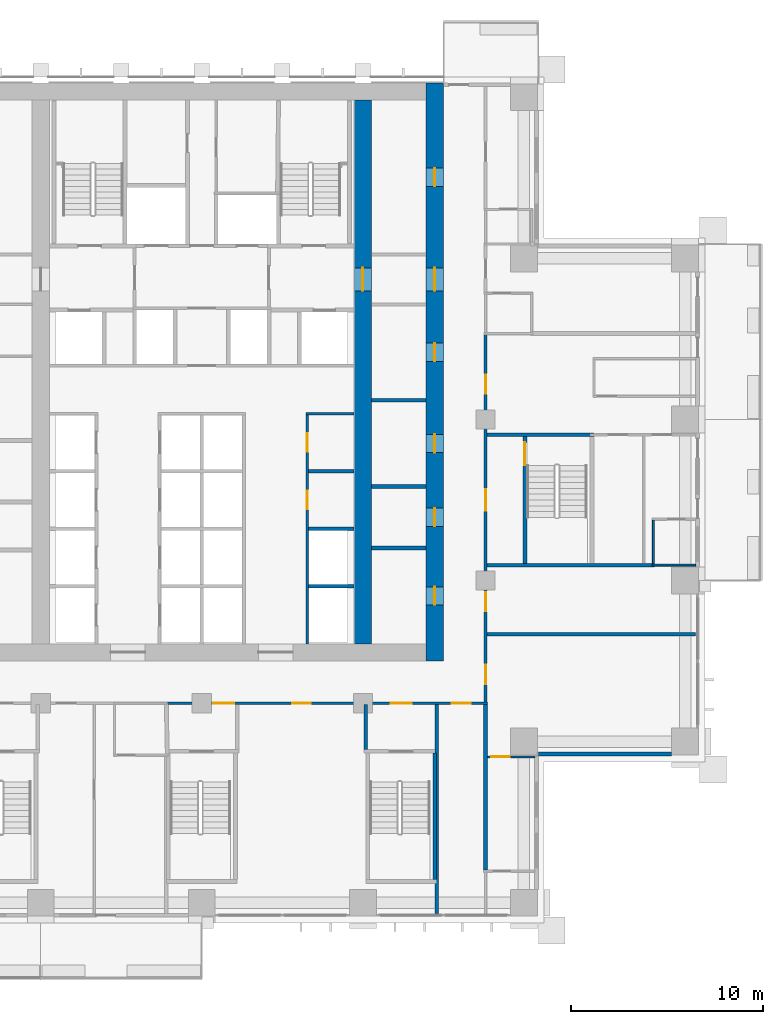
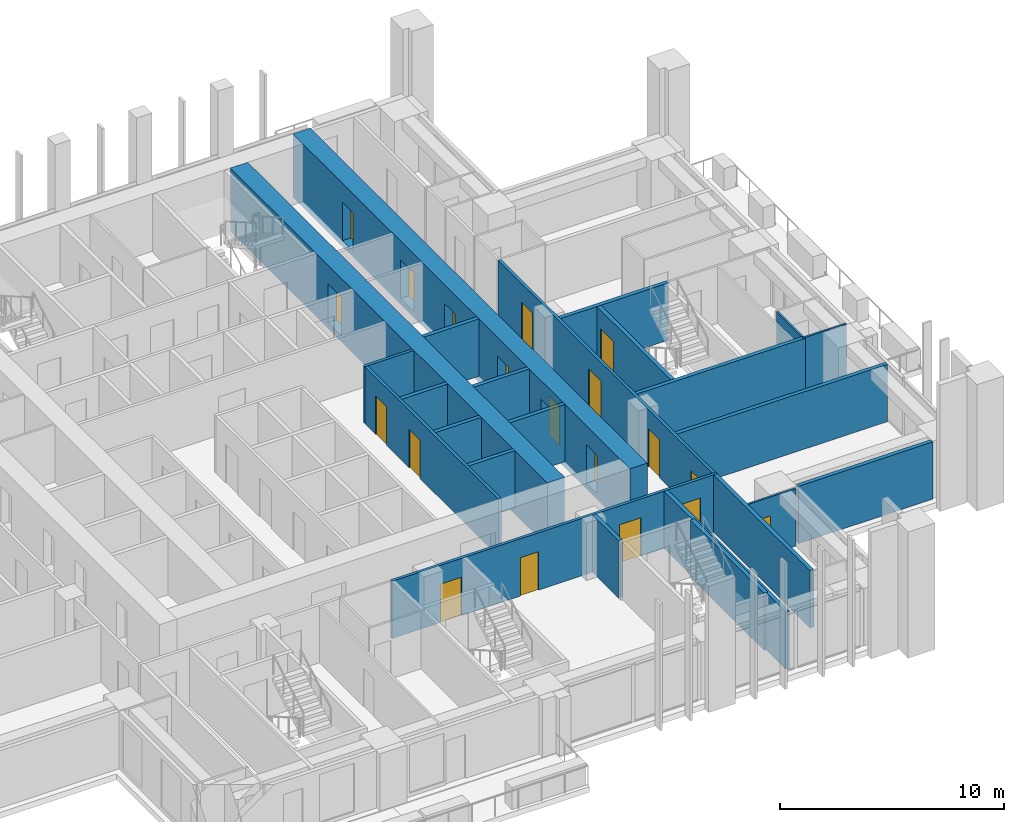
# One storey, part 9 of 18: 24 walls, 19 doors, 19 openings.
"""IFC4 building model written with IfcOpenShell, lengths in metres."""

from ifc_helpers import new_model, si_unit, direction, frame, frame_2d, origin, place, context, subcontext, project, spatial, rectangle, extrude, material, layer, layer_set, type_object, element, fill, save


model = new_model("IFC4")

# Units and contexts
model_context = context("Model", 3, precision=1e-05, world=origin(), true_north=direction((0.0, 1.0)))
body_context = subcontext(model_context, "Body", "Model", "MODEL_VIEW")
ifc_project = project(units=[si_unit("LENGTHUNIT", "METRE"), si_unit("AREAUNIT", "SQUARE_METRE"), si_unit("VOLUMEUNIT", "CUBIC_METRE"), si_unit("PLANEANGLEUNIT", "RADIAN"), si_unit("MASSUNIT", "GRAM", prefix="KILO")], contexts=[model_context])

# Site, building, storey
site_placement = place(None, origin())
site = spatial("IfcSite", under=ifc_project, at=site_placement, CompositionType="ELEMENT")
building_placement = place(site_placement, origin())
building = spatial("IfcBuilding", under=site, at=building_placement, Name="Vermilion Ogive Tower", CompositionType="ELEMENT")
storey_placement = place(building_placement, frame((0.0, 0.0, 55.199951171875)))
storey = spatial("IfcBuildingStorey", under=building, at=storey_placement, Name="L12", CompositionType="ELEMENT", Elevation=55.199951171875)

# Wall, openings, doors
ifc_material_1 = material(Name="Concrete B80", Category="concrete")
ifc_layer_1 = layer(ifc_material_1, 0.89990234375)
ifc_layer_set_1 = layer_set([ifc_layer_1], Name="Core wall 900 B80")
wall_type_1 = type_object("IfcWallType", Name="Core wall 900 B80", PredefinedType="SHEAR", material=ifc_layer_set_1)
wall_1_placement = place(storey_placement, frame((12.14990234375, -8.39990234375, -0.320068359375), z_axis=(0.0, 0.0, 1.0), x_axis=(0.0, 1.0, 0.0)))
wall_1 = element("IfcWall", 1, at=wall_1_placement, inside=storey, type_object=wall_type_1, Name="L12-CORE-E", PredefinedType="SHEAR", context=body_context, shape_type="SweptSolid", body=[
    extrude(rectangle(XDim=30.14990234375, YDim=0.89990234375, at=frame_2d((15.074951171875, 0.0))), origin(), (0.0, 0.0, 1.0), 3.4501953125),
])
opening_1_placement = place(wall_1_placement, frame((2.925048828125, 0.0, 0.320068359375)))
opening_1 = element("IfcOpeningElement", 2, at=opening_1_placement, cuts=wall_1, Name="Opening DAC018", PredefinedType="OPENING", context=body_context, shape_type="SweptSolid", body=[
    extrude(rectangle(XDim=0.949951171875, YDim=2.10009765625, at=frame_2d((0.47509765625, 1.050048828125))), frame((0.0, 0.4599609375, 0.0), z_axis=(0.0, -1.0, 0.0), x_axis=(1.0, 0.0, 0.0)), (0.0, 0.0, 1.0), 0.919921875),
])
opening_2_placement = place(wall_1_placement, frame((7.02490234375, 0.0, 0.320068359375)))
opening_2 = element("IfcOpeningElement", 3, at=opening_2_placement, cuts=wall_1, Name="Opening DAC019", PredefinedType="OPENING", context=body_context, shape_type="SweptSolid", body=[
    extrude(rectangle(XDim=0.949951171875, YDim=2.10009765625, at=frame_2d((0.47509765625, 1.050048828125))), frame((0.0, 0.4599609375, 0.0), z_axis=(0.0, -1.0, 0.0), x_axis=(1.0, 0.0, 0.0)), (0.0, 0.0, 1.0), 0.919921875),
])
opening_3_placement = place(wall_1_placement, frame((10.875, 0.0, 0.320068359375)))
opening_3 = element("IfcOpeningElement", 4, at=opening_3_placement, cuts=wall_1, Name="Opening DAC020", PredefinedType="OPENING", context=body_context, shape_type="SweptSolid", body=[
    extrude(rectangle(XDim=0.949951171875, YDim=2.10009765625, at=frame_2d((0.47509765625, 1.050048828125))), frame((0.0, 0.4599609375, 0.0), z_axis=(0.0, -1.0, 0.0), x_axis=(1.0, 0.0, 0.0)), (0.0, 0.0, 1.0), 0.919921875),
])
opening_4_placement = place(wall_1_placement, frame((15.625, 0.0, 0.320068359375)))
opening_4 = element("IfcOpeningElement", 5, at=opening_4_placement, cuts=wall_1, Name="Opening DAC021", PredefinedType="OPENING", context=body_context, shape_type="SweptSolid", body=[
    extrude(rectangle(XDim=0.949951171875, YDim=2.10009765625, at=frame_2d((0.47509765625, 1.050048828125))), frame((0.0, 0.4599609375, 0.0), z_axis=(0.0, -1.0, 0.0), x_axis=(1.0, 0.0, 0.0)), (0.0, 0.0, 1.0), 0.919921875),
])
opening_5_placement = place(wall_1_placement, frame((24.75, 0.0, 0.320068359375)))
opening_5 = element("IfcOpeningElement", 6, at=opening_5_placement, cuts=wall_1, Name="Opening DAC022", PredefinedType="OPENING", context=body_context, shape_type="SweptSolid", body=[
    extrude(rectangle(XDim=0.949951171875, YDim=2.10009765625, at=frame_2d((0.47509765625, 1.050048828125))), frame((0.0, 0.4599609375, 0.0), z_axis=(0.0, -1.0, 0.0), x_axis=(1.0, 0.0, 0.0)), (0.0, 0.0, 1.0), 0.919921875),
])
opening_6_placement = place(wall_1_placement, frame((19.300048828125, 0.0, 0.320068359375)))
opening_6 = element("IfcOpeningElement", 7, at=opening_6_placement, cuts=wall_1, Name="Opening DAL004", PredefinedType="OPENING", context=body_context, shape_type="SweptSolid", body=[
    extrude(rectangle(XDim=1.199951171875, YDim=2.10009765625, at=frame_2d((0.60009765625, 1.050048828125))), frame((0.0, 0.4599609375, 0.0), z_axis=(0.0, -1.0, 0.0), x_axis=(1.0, 0.0, 0.0)), (0.0, 0.0, 1.0), 0.919921875),
])
ifc_material_2 = material(Name="Timber door leaf", Category="wood")
door_type_1 = type_object("IfcDoorType", Name="Link door 1200 x 2100 FD60S", OperationType="SINGLE_SWING_LEFT", PredefinedType="DOOR", material=ifc_material_2)
door_1_placement = place(opening_6_placement, origin())
door_1 = element("IfcDoor", 8, at=door_1_placement, inside=storey, type_object=door_type_1, Name="L12-CKE-XL", OperationType="SINGLE_SWING_LEFT", OverallHeight=2.10009765625, OverallWidth=1.199951171875, PredefinedType="DOOR", context=body_context, shape_type="SweptSolid", body=[
    extrude(rectangle(XDim=1.199951171875, YDim=2.10009765625, at=frame_2d((0.60009765625, 1.050048828125))), frame((0.0, 0.02490234375, 0.0), z_axis=(0.0, -1.0, 0.0), x_axis=(1.0, 0.0, 0.0)), (0.0, 0.0, 1.0), 0.050048828125),
])
fill(opening_6, door_1)
ifc_material_3 = material(Name="Timber door leaf", Category="wood")
door_type_2 = type_object("IfcDoorType", Name="Service door 950 x 2100 FD60", OperationType="SINGLE_SWING_LEFT", PredefinedType="DOOR", material=ifc_material_3)
door_2_placement = place(opening_1_placement, origin())
door_2 = element("IfcDoor", 9, at=door_2_placement, inside=storey, type_object=door_type_2, Name="L12-CKE-XR0", OperationType="SINGLE_SWING_LEFT", OverallHeight=2.10009765625, OverallWidth=0.949951171875, PredefinedType="DOOR", context=body_context, shape_type="SweptSolid", body=[
    extrude(rectangle(XDim=0.949951171875, YDim=2.10009765625, at=frame_2d((0.47509765625, 1.050048828125))), frame((0.0, 0.02490234375, 0.0), z_axis=(0.0, -1.0, 0.0), x_axis=(1.0, 0.0, 0.0)), (0.0, 0.0, 1.0), 0.050048828125),
])
fill(opening_1, door_2)
door_3_placement = place(opening_2_placement, origin())
door_3 = element("IfcDoor", 10, at=door_3_placement, inside=storey, type_object=door_type_2, Name="L12-CKE-XR1", OperationType="SINGLE_SWING_LEFT", OverallHeight=2.10009765625, OverallWidth=0.949951171875, PredefinedType="DOOR", context=body_context, shape_type="SweptSolid", body=[
    extrude(rectangle(XDim=0.949951171875, YDim=2.10009765625, at=frame_2d((0.47509765625, 1.050048828125))), frame((0.0, 0.02490234375, 0.0), z_axis=(0.0, -1.0, 0.0), x_axis=(1.0, 0.0, 0.0)), (0.0, 0.0, 1.0), 0.050048828125),
])
fill(opening_2, door_3)
door_4_placement = place(opening_3_placement, origin())
door_4 = element("IfcDoor", 11, at=door_4_placement, inside=storey, type_object=door_type_2, Name="L12-CKE-XR2", OperationType="SINGLE_SWING_LEFT", OverallHeight=2.10009765625, OverallWidth=0.949951171875, PredefinedType="DOOR", context=body_context, shape_type="SweptSolid", body=[
    extrude(rectangle(XDim=0.949951171875, YDim=2.10009765625, at=frame_2d((0.47509765625, 1.050048828125))), frame((0.0, 0.02490234375, 0.0), z_axis=(0.0, -1.0, 0.0), x_axis=(1.0, 0.0, 0.0)), (0.0, 0.0, 1.0), 0.050048828125),
])
fill(opening_3, door_4)
door_5_placement = place(opening_4_placement, origin())
door_5 = element("IfcDoor", 12, at=door_5_placement, inside=storey, type_object=door_type_2, Name="L12-CKE-XR3", OperationType="SINGLE_SWING_LEFT", OverallHeight=2.10009765625, OverallWidth=0.949951171875, PredefinedType="DOOR", context=body_context, shape_type="SweptSolid", body=[
    extrude(rectangle(XDim=0.949951171875, YDim=2.10009765625, at=frame_2d((0.47509765625, 1.050048828125))), frame((0.0, 0.02490234375, 0.0), z_axis=(0.0, -1.0, 0.0), x_axis=(1.0, 0.0, 0.0)), (0.0, 0.0, 1.0), 0.050048828125),
])
fill(opening_4, door_5)
door_6_placement = place(opening_5_placement, origin())
door_6 = element("IfcDoor", 13, at=door_6_placement, inside=storey, type_object=door_type_2, Name="L12-CKE-XR4", OperationType="SINGLE_SWING_LEFT", OverallHeight=2.10009765625, OverallWidth=0.949951171875, PredefinedType="DOOR", context=body_context, shape_type="SweptSolid", body=[
    extrude(rectangle(XDim=0.949951171875, YDim=2.10009765625, at=frame_2d((0.47509765625, 1.050048828125))), frame((0.0, 0.02490234375, 0.0), z_axis=(0.0, -1.0, 0.0), x_axis=(1.0, 0.0, 0.0)), (0.0, 0.0, 1.0), 0.050048828125),
])
fill(opening_5, door_6)

# Wall, opening, door
wall_2_placement = place(storey_placement, frame((8.39990234375, -7.5, -0.320068359375), z_axis=(0.0, 0.0, 1.0), x_axis=(0.0, 1.0, 0.0)))
wall_2 = element("IfcWall", 14, at=wall_2_placement, inside=storey, type_object=wall_type_1, Name="L12-CORE-WEB2", PredefinedType="SHEAR", context=body_context, shape_type="SweptSolid", body=[
    extrude(rectangle(XDim=28.35009765625, YDim=0.89990234375, at=frame_2d((14.175048828125, 0.0))), origin(), (0.0, 0.0, 1.0), 3.4501953125),
])
opening_7_placement = place(wall_2_placement, frame((18.39990234375, 0.0, 0.320068359375)))
opening_7 = element("IfcOpeningElement", 15, at=opening_7_placement, cuts=wall_2, Name="Opening DAO004", PredefinedType="OPENING", context=body_context, shape_type="SweptSolid", body=[
    extrude(rectangle(XDim=1.199951171875, YDim=2.10009765625, at=frame_2d((0.60009765625, 1.050048828125))), frame((0.0, 0.4599609375, 0.0), z_axis=(0.0, -1.0, 0.0), x_axis=(1.0, 0.0, 0.0)), (0.0, 0.0, 1.0), 0.919921875),
])
door_7_placement = place(opening_7_placement, origin())
door_7 = element("IfcDoor", 16, at=door_7_placement, inside=storey, type_object=door_type_1, Name="L12-CKE-XW", OperationType="SINGLE_SWING_LEFT", OverallHeight=2.10009765625, OverallWidth=1.199951171875, PredefinedType="DOOR", context=body_context, shape_type="SweptSolid", body=[
    extrude(rectangle(XDim=1.199951171875, YDim=2.10009765625, at=frame_2d((0.60009765625, 1.050048828125))), frame((0.0, 0.02490234375, 0.0), z_axis=(0.0, -1.0, 0.0), x_axis=(1.0, 0.0, 0.0)), (0.0, 0.0, 1.0), 0.050048828125),
])
fill(opening_7, door_7)

# Walls
ifc_material_4 = material(Name="Gypsum board partition on steel studs", Category="steel")
ifc_layer_2 = layer(ifc_material_4, 0.10009765625)
ifc_layer_set_2 = layer_set([ifc_layer_2], Name="Partition 100 bath")
wall_type_2 = type_object("IfcWallType", Name="Partition 100 bath", PredefinedType="PARTITIONING", material=ifc_layer_set_2)
for number, where, z_axis, x_axis, name in (
    (17, (23.5, -3.39990234375, 0.0), (0.0, 0.0, 1.0), (1.0, 0.0, 0.0), "L12-W-W020"),
    (18, (23.550048828125, -3.300048828125, 0.0), (0.0, 0.0, 1.0), (0.0, 1.0, 0.0), "L12-W-W082"),
):
    element("IfcWall", number, at=place(storey_placement, frame(where, z_axis=z_axis, x_axis=x_axis)), inside=storey, type_object=wall_type_2, Name=name, PredefinedType="PARTITIONING", context=body_context, shape_type="SweptSolid", body=[
        extrude(rectangle(XDim=2.25, YDim=0.10009765625, at=frame_2d((1.125, 0.0))), origin(), (0.0, 0.0, 1.0), 3.130126953125),
    ])

# Wall, opening, door
ifc_material_5 = material(Name="Gypsum board partition on steel studs", Category="steel")
ifc_layer_3 = layer(ifc_material_5, 0.10009765625)
ifc_layer_set_3 = layer_set([ifc_layer_3], Name="Partition 100 inner")
wall_type_3 = type_object("IfcWallType", Name="Partition 100 inner", PredefinedType="PARTITIONING", material=ifc_layer_set_3)
wall_3_placement = place(storey_placement, frame((14.89990234375, -13.39990234375, 0.0), z_axis=(0.0, 0.0, 1.0), x_axis=(1.0, 0.0, 0.0)))
wall_3 = element("IfcWall", 19, at=wall_3_placement, inside=storey, type_object=wall_type_3, Name="L12-W-W007", PredefinedType="PARTITIONING", context=body_context, shape_type="SweptSolid", body=[
    extrude(rectangle(XDim=2.4501953125, YDim=0.10009765625, at=frame_2d((1.22509765625, 0.0))), origin(), (0.0, 0.0, 1.0), 3.130126953125),
])
opening_8_placement = place(wall_3_placement, frame((0.2001953125, 0.0, 0.0)))
opening_8 = element("IfcOpeningElement", 20, at=opening_8_placement, cuts=wall_3, Name="Opening D1G4017", PredefinedType="OPENING", context=body_context, shape_type="SweptSolid", body=[
    extrude(rectangle(XDim=0.949951171875, YDim=2.10009765625, at=frame_2d((0.47509765625, 1.050048828125))), frame((0.0, 0.06005859375, 0.0), z_axis=(0.0, -1.0, 0.0), x_axis=(1.0, 0.0, 0.0)), (0.0, 0.0, 1.0), 0.1201171875),
])
ifc_material_6 = material(Name="Timber door leaf", Category="wood")
door_type_3 = type_object("IfcDoorType", Name="Inner door 950 x 2100 FD30", OperationType="SINGLE_SWING_LEFT", PredefinedType="DOOR", material=ifc_material_6)
door_8_placement = place(opening_8_placement, origin())
door_8 = element("IfcDoor", 21, at=door_8_placement, inside=storey, type_object=door_type_3, Name="L12-D-D017", OperationType="SINGLE_SWING_RIGHT", OverallHeight=2.10009765625, OverallWidth=0.949951171875, PredefinedType="DOOR", context=body_context, shape_type="SweptSolid", body=[
    extrude(rectangle(XDim=0.949951171875, YDim=2.10009765625, at=frame_2d((0.47509765625, 1.050048828125))), frame((0.0, 0.02490234375, 0.0), z_axis=(0.0, -1.0, 0.0), x_axis=(1.0, 0.0, 0.0)), (0.0, 0.0, 1.0), 0.050048828125),
])
fill(opening_8, door_8)

# Wall, openings, doors
ifc_material_7 = material(Name="Gypsum board partition on steel studs", Category="steel")
ifc_layer_4 = layer(ifc_material_7, 0.14990234375)
ifc_layer_set_4 = layer_set([ifc_layer_4], Name="Partition 150 corridor")
wall_type_4 = type_object("IfcWallType", Name="Partition 150 corridor", PredefinedType="PARTITIONING", material=ifc_layer_set_4)
wall_4_placement = place(storey_placement, frame((-1.89990234375, -10.60009765625, 0.0), z_axis=(0.0, 0.0, 1.0), x_axis=(1.0, 0.0, 0.0)))
wall_4 = element("IfcWall", 22, at=wall_4_placement, inside=storey, type_object=wall_type_4, Name="L12-W-W014", PredefinedType="PARTITIONING", context=body_context, shape_type="SweptSolid", body=[
    extrude(rectangle(XDim=16.7998046875, YDim=0.14990234375, at=frame_2d((8.39990234375, 0.0))), origin(), (0.0, 0.0, 1.0), 3.130126953125),
])
opening_9_placement = place(wall_4_placement, frame((6.625, 0.0, 0.0)))
opening_9 = element("IfcOpeningElement", 23, at=opening_9_placement, cuts=wall_4, Name="Opening D1G4015", PredefinedType="OPENING", context=body_context, shape_type="SweptSolid", body=[
    extrude(rectangle(XDim=0.949951171875, YDim=2.10009765625, at=frame_2d((0.47509765625, 1.050048828125))), frame((0.0, 0.0849609375, 0.0), z_axis=(0.0, -1.0, 0.0), x_axis=(1.0, 0.0, 0.0)), (0.0, 0.0, 1.0), 0.169921875),
])
opening_10_placement = place(wall_4_placement, frame((2.5, 0.0, 0.0)))
opening_10 = element("IfcOpeningElement", 24, at=opening_10_placement, cuts=wall_4, Name="Opening D1G4030", PredefinedType="OPENING", context=body_context, shape_type="SweptSolid", body=[
    extrude(rectangle(XDim=1.10009765625, YDim=2.10009765625, at=frame_2d((0.550048828125, 1.050048828125))), frame((0.0, 0.0849609375, 0.0), z_axis=(0.0, -1.0, 0.0), x_axis=(1.0, 0.0, 0.0)), (0.0, 0.0, 1.0), 0.169921875),
])
opening_11_placement = place(wall_4_placement, frame((11.75, 0.0, 0.0)))
opening_11 = element("IfcOpeningElement", 25, at=opening_11_placement, cuts=wall_4, Name="Opening D1G4032", PredefinedType="OPENING", context=body_context, shape_type="SweptSolid", body=[
    extrude(rectangle(XDim=1.10009765625, YDim=2.10009765625, at=frame_2d((0.550048828125, 1.050048828125))), frame((0.0, 0.0849609375, 0.0), z_axis=(0.0, -1.0, 0.0), x_axis=(1.0, 0.0, 0.0)), (0.0, 0.0, 1.0), 0.169921875),
])
opening_12_placement = place(wall_4_placement, frame((14.9248046875, 0.0, 0.0)))
opening_12 = element("IfcOpeningElement", 26, at=opening_12_placement, cuts=wall_4, Name="Opening D1G4039", PredefinedType="OPENING", context=body_context, shape_type="SweptSolid", body=[
    extrude(rectangle(XDim=1.0, YDim=2.10009765625, at=frame_2d((0.5, 1.050048828125))), frame((0.0, 0.0849609375, 0.0), z_axis=(0.0, -1.0, 0.0), x_axis=(1.0, 0.0, 0.0)), (0.0, 0.0, 1.0), 0.169921875),
])
ifc_material_8 = material(Name="Timber door leaf", Category="wood")
door_type_4 = type_object("IfcDoorType", Name="Stair door 1100 x 2100 FD60S", OperationType="SINGLE_SWING_LEFT", PredefinedType="DOOR", material=ifc_material_8)
door_9_placement = place(opening_10_placement, origin())
door_9 = element("IfcDoor", 27, at=door_9_placement, inside=storey, type_object=door_type_4, Name="L12-D-D030", OperationType="SINGLE_SWING_LEFT", OverallHeight=2.10009765625, OverallWidth=1.10009765625, PredefinedType="DOOR", context=body_context, shape_type="SweptSolid", body=[
    extrude(rectangle(XDim=1.10009765625, YDim=2.10009765625, at=frame_2d((0.550048828125, 1.050048828125))), frame((0.0, 0.02490234375, 0.0), z_axis=(0.0, -1.0, 0.0), x_axis=(1.0, 0.0, 0.0)), (0.0, 0.0, 1.0), 0.050048828125),
])
fill(opening_10, door_9)
door_10_placement = place(opening_11_placement, origin())
door_10 = element("IfcDoor", 28, at=door_10_placement, inside=storey, type_object=door_type_4, Name="L12-D-D032", OperationType="SINGLE_SWING_RIGHT", OverallHeight=2.10009765625, OverallWidth=1.10009765625, PredefinedType="DOOR", context=body_context, shape_type="SweptSolid", body=[
    extrude(rectangle(XDim=1.10009765625, YDim=2.10009765625, at=frame_2d((0.550048828125, 1.050048828125))), frame((0.0, 0.02490234375, 0.0), z_axis=(0.0, -1.0, 0.0), x_axis=(1.0, 0.0, 0.0)), (0.0, 0.0, 1.0), 0.050048828125),
])
fill(opening_11, door_10)
ifc_material_9 = material(Name="Timber door leaf", Category="wood")
door_type_5 = type_object("IfcDoorType", Name="Unit door 1000 x 2100 FD30S", OperationType="SINGLE_SWING_LEFT", PredefinedType="DOOR", material=ifc_material_9)
door_11_placement = place(opening_12_placement, origin())
door_11 = element("IfcDoor", 29, at=door_11_placement, inside=storey, type_object=door_type_5, Name="L12-D-D039", OperationType="SINGLE_SWING_LEFT", OverallHeight=2.10009765625, OverallWidth=1.0, PredefinedType="DOOR", context=body_context, shape_type="SweptSolid", body=[
    extrude(rectangle(XDim=1.0, YDim=2.10009765625, at=frame_2d((0.5, 1.050048828125))), frame((0.0, 0.02490234375, 0.0), z_axis=(0.0, -1.0, 0.0), x_axis=(1.0, 0.0, 0.0)), (0.0, 0.0, 1.0), 0.050048828125),
])
fill(opening_12, door_11)
ifc_material_10 = material(Name="Timber door leaf", Category="wood")
door_type_6 = type_object("IfcDoorType", Name="Unit door 950 x 2100 FD30S", OperationType="SINGLE_SWING_LEFT", PredefinedType="DOOR", material=ifc_material_10)
door_12_placement = place(opening_9_placement, origin())
door_12 = element("IfcDoor", 30, at=door_12_placement, inside=storey, type_object=door_type_6, Name="L12-D-D015", OperationType="SINGLE_SWING_RIGHT", OverallHeight=2.10009765625, OverallWidth=0.949951171875, PredefinedType="DOOR", context=body_context, shape_type="SweptSolid", body=[
    extrude(rectangle(XDim=0.949951171875, YDim=2.10009765625, at=frame_2d((0.47509765625, 1.050048828125))), frame((0.0, 0.02490234375, 0.0), z_axis=(0.0, -1.0, 0.0), x_axis=(1.0, 0.0, 0.0)), (0.0, 0.0, 1.0), 0.050048828125),
])
fill(opening_9, door_12)

wall_5_placement = place(storey_placement, frame((14.800048828125, -10.52490234375, 0.0), z_axis=(0.0, 0.0, 1.0), x_axis=(0.0, 1.0, 0.0)))
wall_5 = element("IfcWall", 31, at=wall_5_placement, inside=storey, type_object=wall_type_4, Name="L12-W-W071", PredefinedType="PARTITIONING", context=body_context, shape_type="SweptSolid", body=[
    extrude(rectangle(XDim=19.15478515625, YDim=0.14990234375, at=frame_2d((9.577392578125, 0.0))), origin(), (0.0, 0.0, 1.0), 3.130126953125),
])
opening_13_placement = place(wall_5_placement, frame((0.9248046875, 0.0, 0.0)))
opening_13 = element("IfcOpeningElement", 32, at=opening_13_placement, cuts=wall_5, Name="Opening D1G4016", PredefinedType="OPENING", context=body_context, shape_type="SweptSolid", body=[
    extrude(rectangle(XDim=1.0, YDim=2.10009765625, at=frame_2d((0.5, 1.050048828125))), frame((0.0, 0.0849609375, 0.0), z_axis=(0.0, -1.0, 0.0), x_axis=(1.0, 0.0, 0.0)), (0.0, 0.0, 1.0), 0.169921875),
])
opening_14_placement = place(wall_5_placement, frame((16.06494140625, 0.0, 0.0)))
opening_14 = element("IfcOpeningElement", 33, at=opening_14_placement, cuts=wall_5, Name="Opening D1G4021", PredefinedType="OPENING", context=body_context, shape_type="SweptSolid", body=[
    extrude(rectangle(XDim=1.0, YDim=2.10009765625, at=frame_2d((0.5, 1.050048828125))), frame((0.0, 0.0849609375, 0.0), z_axis=(0.0, -1.0, 0.0), x_axis=(1.0, 0.0, 0.0)), (0.0, 0.0, 1.0), 0.169921875),
])
opening_15_placement = place(wall_5_placement, frame((9.974853515625, 0.0, 0.0)))
opening_15 = element("IfcOpeningElement", 34, at=opening_15_placement, cuts=wall_5, Name="Opening D1G4034", PredefinedType="OPENING", context=body_context, shape_type="SweptSolid", body=[
    extrude(rectangle(XDim=1.10009765625, YDim=2.10009765625, at=frame_2d((0.550048828125, 1.050048828125))), frame((0.0, 0.0849609375, 0.0), z_axis=(0.0, -1.0, 0.0), x_axis=(1.0, 0.0, 0.0)), (0.0, 0.0, 1.0), 0.169921875),
])
opening_16_placement = place(wall_5_placement, frame((4.724853515625, 0.0, 0.0)))
opening_16 = element("IfcOpeningElement", 35, at=opening_16_placement, cuts=wall_5, Name="Opening D1G4041", PredefinedType="OPENING", context=body_context, shape_type="SweptSolid", body=[
    extrude(rectangle(XDim=1.0, YDim=2.10009765625, at=frame_2d((0.5, 1.050048828125))), frame((0.0, 0.0849609375, 0.0), z_axis=(0.0, -1.0, 0.0), x_axis=(1.0, 0.0, 0.0)), (0.0, 0.0, 1.0), 0.169921875),
])
door_13_placement = place(opening_15_placement, origin())
door_13 = element("IfcDoor", 36, at=door_13_placement, inside=storey, type_object=door_type_4, Name="L12-D-D034", OperationType="SINGLE_SWING_LEFT", OverallHeight=2.10009765625, OverallWidth=1.10009765625, PredefinedType="DOOR", context=body_context, shape_type="SweptSolid", body=[
    extrude(rectangle(XDim=1.10009765625, YDim=2.10009765625, at=frame_2d((0.550048828125, 1.050048828125))), frame((0.0, 0.02490234375, 0.0), z_axis=(0.0, -1.0, 0.0), x_axis=(1.0, 0.0, 0.0)), (0.0, 0.0, 1.0), 0.050048828125),
])
fill(opening_15, door_13)
door_14_placement = place(opening_13_placement, origin())
door_14 = element("IfcDoor", 37, at=door_14_placement, inside=storey, type_object=door_type_5, Name="L12-D-D016", OperationType="SINGLE_SWING_RIGHT", OverallHeight=2.10009765625, OverallWidth=1.0, PredefinedType="DOOR", context=body_context, shape_type="SweptSolid", body=[
    extrude(rectangle(XDim=1.0, YDim=2.10009765625, at=frame_2d((0.5, 1.050048828125))), frame((0.0, 0.02490234375, 0.0), z_axis=(0.0, -1.0, 0.0), x_axis=(1.0, 0.0, 0.0)), (0.0, 0.0, 1.0), 0.050048828125),
])
fill(opening_13, door_14)
door_15_placement = place(opening_14_placement, origin())
door_15 = element("IfcDoor", 38, at=door_15_placement, inside=storey, type_object=door_type_5, Name="L12-D-D021", OperationType="SINGLE_SWING_RIGHT", OverallHeight=2.10009765625, OverallWidth=1.0, PredefinedType="DOOR", context=body_context, shape_type="SweptSolid", body=[
    extrude(rectangle(XDim=1.0, YDim=2.10009765625, at=frame_2d((0.5, 1.050048828125))), frame((0.0, 0.02490234375, 0.0), z_axis=(0.0, -1.0, 0.0), x_axis=(1.0, 0.0, 0.0)), (0.0, 0.0, 1.0), 0.050048828125),
])
fill(opening_14, door_15)
door_16_placement = place(opening_16_placement, origin())
door_16 = element("IfcDoor", 39, at=door_16_placement, inside=storey, type_object=door_type_5, Name="L12-D-D041", OperationType="SINGLE_SWING_RIGHT", OverallHeight=2.10009765625, OverallWidth=1.0, PredefinedType="DOOR", context=body_context, shape_type="SweptSolid", body=[
    extrude(rectangle(XDim=1.0, YDim=2.10009765625, at=frame_2d((0.5, 1.050048828125))), frame((0.0, 0.02490234375, 0.0), z_axis=(0.0, -1.0, 0.0), x_axis=(1.0, 0.0, 0.0)), (0.0, 0.0, 1.0), 0.050048828125),
])
fill(opening_16, door_16)

# Wall
wall_6_placement = place(storey_placement, frame((5.425048828125, 4.5, 0.0), z_axis=(0.0, 0.0, 1.0), x_axis=(1.0, 0.0, 0.0)))
element("IfcWall", 40, at=wall_6_placement, inside=storey, type_object=wall_type_4, Name="L12-CK-W-W012", PredefinedType="PARTITIONING", context=body_context, shape_type="SweptSolid", body=[
    extrude(rectangle(XDim=2.52392578125, YDim=0.14990234375, at=frame_2d((1.261962890625, 0.0))), origin(), (0.0, 0.0, 1.0), 3.130126953125),
])

# Wall, openings, doors
wall_7_placement = place(storey_placement, frame((5.5, -7.4990234375, 0.0), z_axis=(0.0, 0.0, 1.0), x_axis=(0.0, 1.0, 0.0)))
wall_7 = element("IfcWall", 41, at=wall_7_placement, inside=storey, type_object=wall_type_4, Name="L12-CK-W-W040", PredefinedType="PARTITIONING", context=body_context, shape_type="SweptSolid", body=[
    extrude(rectangle(XDim=11.924072265625, YDim=0.14990234375, at=frame_2d((5.9619140625, 0.0))), origin(), (0.0, 0.0, 1.0), 3.130126953125),
])
opening_17_placement = place(wall_7_placement, frame((7.02392578125, 0.0, 0.0)))
opening_17 = element("IfcOpeningElement", 42, at=opening_17_placement, cuts=wall_7, Name="Opening DAA073", PredefinedType="OPENING", context=body_context, shape_type="SweptSolid", body=[
    extrude(rectangle(XDim=0.949951171875, YDim=2.10009765625, at=frame_2d((0.47509765625, 1.050048828125))), frame((0.0, 0.0849609375, 0.0), z_axis=(0.0, -1.0, 0.0), x_axis=(1.0, 0.0, 0.0)), (0.0, 0.0, 1.0), 0.169921875),
])
opening_18_placement = place(wall_7_placement, frame((10.02392578125, 0.0, 0.0)))
opening_18 = element("IfcOpeningElement", 43, at=opening_18_placement, cuts=wall_7, Name="Opening DAA074", PredefinedType="OPENING", context=body_context, shape_type="SweptSolid", body=[
    extrude(rectangle(XDim=0.949951171875, YDim=2.10009765625, at=frame_2d((0.47509765625, 1.050048828125))), frame((0.0, 0.0849609375, 0.0), z_axis=(0.0, -1.0, 0.0), x_axis=(1.0, 0.0, 0.0)), (0.0, 0.0, 1.0), 0.169921875),
])
door_17_placement = place(opening_17_placement, origin())
door_17 = element("IfcDoor", 44, at=door_17_placement, inside=storey, type_object=door_type_2, Name="L12-CK-D-D009", OperationType="SINGLE_SWING_RIGHT", OverallHeight=2.10009765625, OverallWidth=0.949951171875, PredefinedType="DOOR", context=body_context, shape_type="SweptSolid", body=[
    extrude(rectangle(XDim=0.949951171875, YDim=2.10009765625, at=frame_2d((0.47509765625, 1.050048828125))), frame((0.0, 0.02490234375, 0.0), z_axis=(0.0, -1.0, 0.0), x_axis=(1.0, 0.0, 0.0)), (0.0, 0.0, 1.0), 0.050048828125),
])
fill(opening_17, door_17)
door_18_placement = place(opening_18_placement, origin())
door_18 = element("IfcDoor", 45, at=door_18_placement, inside=storey, type_object=door_type_2, Name="L12-CK-D-D010", OperationType="SINGLE_SWING_RIGHT", OverallHeight=2.10009765625, OverallWidth=0.949951171875, PredefinedType="DOOR", context=body_context, shape_type="SweptSolid", body=[
    extrude(rectangle(XDim=0.949951171875, YDim=2.10009765625, at=frame_2d((0.47509765625, 1.050048828125))), frame((0.0, 0.02490234375, 0.0), z_axis=(0.0, -1.0, 0.0), x_axis=(1.0, 0.0, 0.0)), (0.0, 0.0, 1.0), 0.050048828125),
])
fill(opening_18, door_18)

# Walls
ifc_material_11 = material(Name="Gypsum board partition on steel studs", Category="steel")
ifc_layer_5 = layer(ifc_material_11, 0.199951171875)
ifc_layer_set_5 = layer_set([ifc_layer_5], Name="Partition 200 party")
wall_type_5 = type_object("IfcWallType", Name="Partition 200 party", PredefinedType="PARTITIONING", material=ifc_layer_set_5)
wall_8_placement = place(storey_placement, frame((14.875, -7.0, 0.0), z_axis=(0.0, 0.0, 1.0), x_axis=(1.0, 0.0, 0.0)))
element("IfcWall", 46, at=wall_8_placement, inside=storey, type_object=wall_type_5, Name="L12-W-W016", PredefinedType="PARTITIONING", context=body_context, shape_type="SweptSolid", body=[
    extrude(rectangle(XDim=10.875, YDim=0.199951171875, at=frame_2d((5.4375, 0.0))), origin(), (0.0, 0.0, 1.0), 3.130126953125),
])
wall_9_placement = place(storey_placement, frame((8.550048828125, -12.998046875, 0.0), z_axis=(0.0, 0.0, 1.0), x_axis=(0.0, 1.0, 0.0)))
element("IfcWall", 47, at=wall_9_placement, inside=storey, type_object=wall_type_5, Name="L12-W-W065", PredefinedType="PARTITIONING", context=body_context, shape_type="SweptSolid", body=[
    extrude(rectangle(XDim=2.322998046875, YDim=0.199951171875, at=frame_2d((1.16162109375, 0.0))), origin(), (0.0, 0.0, 1.0), 3.130126953125),
])
wall_10_placement = place(storey_placement, frame((14.800048828125, -19.300048828125, 0.0), z_axis=(0.0, 0.0, 1.0), x_axis=(0.0, 1.0, 0.0)))
element("IfcWall", 48, at=wall_10_placement, inside=storey, type_object=wall_type_5, Name="L12-W-W070", PredefinedType="PARTITIONING", context=body_context, shape_type="SweptSolid", body=[
    extrude(rectangle(XDim=8.625, YDim=0.199951171875, at=frame_2d((4.3125, 0.0))), origin(), (0.0, 0.0, 1.0), 3.130126953125),
])
for number, where, z_axis, x_axis, name in (
    (49, (5.574951171875, -4.5, 0.0), (0.0, 0.0, 1.0), (1.0, 0.0, 0.0), "L12-CK-W-W003"),
    (50, (5.574951171875, -1.5, 0.0), (0.0, 0.0, 1.0), (1.0, 0.0, 0.0), "L12-CK-W-W006"),
    (51, (5.574951171875, 1.5, 0.0), (0.0, 0.0, 1.0), (1.0, 0.0, 0.0), "L12-CK-W-W009"),
):
    element("IfcWall", number, at=place(storey_placement, frame(where, z_axis=z_axis, x_axis=x_axis)), inside=storey, type_object=wall_type_5, Name=name, PredefinedType="PARTITIONING", context=body_context, shape_type="SweptSolid", body=[
        extrude(rectangle(XDim=2.3740234375, YDim=0.199951171875, at=frame_2d((1.18701171875, 0.0))), origin(), (0.0, 0.0, 1.0), 3.130126953125),
    ])
for number, where, z_axis, x_axis, name in (
    (52, (8.85107421875, -2.5, 0.0), (0.0, 0.0, 1.0), (1.0, 0.0, 0.0), "L12-CKE-W-W001"),
    (53, (8.85107421875, 0.699951171875, 0.0), (0.0, 0.0, 1.0), (1.0, 0.0, 0.0), "L12-CKE-W-W002"),
    (54, (8.85107421875, 5.199951171875, 0.0), (0.0, 0.0, 1.0), (1.0, 0.0, 0.0), "L12-CKE-W-W003"),
):
    element("IfcWall", number, at=place(storey_placement, frame(where, z_axis=z_axis, x_axis=x_axis)), inside=storey, type_object=wall_type_5, Name=name, PredefinedType="PARTITIONING", context=body_context, shape_type="SweptSolid", body=[
        extrude(rectangle(XDim=2.847900390625, YDim=0.199951171875, at=frame_2d((1.423828125, 0.0))), origin(), (0.0, 0.0, 1.0), 3.130126953125),
    ])
ifc_material_12 = material(Name="Concrete B60", Category="concrete")
ifc_layer_6 = layer(ifc_material_12, 0.199951171875)
ifc_layer_set_6 = layer_set([ifc_layer_6], Name="Stair shaft wall 200 Concrete B60")
wall_type_6 = type_object("IfcWallType", Name="Stair shaft wall 200 Concrete B60", PredefinedType="SOLIDWALL", material=ifc_layer_set_6)
wall_11_placement = place(storey_placement, frame((14.875, -3.39990234375, 0.0), z_axis=(0.0, 0.0, 1.0), x_axis=(1.0, 0.0, 0.0)))
element("IfcWall", 55, at=wall_11_placement, inside=storey, type_object=wall_type_6, Name="L12-W-W019", PredefinedType="SOLIDWALL", context=body_context, shape_type="SweptSolid", body=[
    extrude(rectangle(XDim=8.72509765625, YDim=0.199951171875, at=frame_2d((4.362548828125, 0.0))), origin(), (0.0, 0.0, 1.0), 3.130126953125),
])
wall_12_placement = place(storey_placement, frame((14.875, 3.39990234375, 0.0), z_axis=(0.0, 0.0, 1.0), x_axis=(1.0, 0.0, 0.0)))
element("IfcWall", 56, at=wall_12_placement, inside=storey, type_object=wall_type_6, Name="L12-W-W025", PredefinedType="SOLIDWALL", context=body_context, shape_type="SweptSolid", body=[
    extrude(rectangle(XDim=5.574951171875, YDim=0.199951171875, at=frame_2d((2.78759765625, 0.0))), origin(), (0.0, 0.0, 1.0), 3.130126953125),
])
wall_13_placement = place(storey_placement, frame((12.14990234375, -19.798095703125, 0.0), z_axis=(0.0, 0.0, 1.0), x_axis=(0.0, 1.0, 0.0)))
element("IfcWall", 57, at=wall_13_placement, inside=storey, type_object=wall_type_6, Name="L12-W-W067", PredefinedType="SOLIDWALL", context=body_context, shape_type="SweptSolid", body=[
    extrude(rectangle(XDim=6.59619140625, YDim=0.199951171875, at=frame_2d((3.298095703125, 0.0))), origin(), (0.0, 0.0, 1.0), 3.130126953125),
])

# Wall, opening, door
wall_14_placement = place(storey_placement, frame((16.85009765625, -3.300048828125, 0.0), z_axis=(0.0, 0.0, 1.0), x_axis=(0.0, 1.0, 0.0)))
wall_14 = element("IfcWall", 58, at=wall_14_placement, inside=storey, type_object=wall_type_6, Name="L12-W-W076", PredefinedType="SOLIDWALL", context=body_context, shape_type="SweptSolid", body=[
    extrude(rectangle(XDim=6.60009765625, YDim=0.199951171875, at=frame_2d((3.300048828125, 0.0))), origin(), (0.0, 0.0, 1.0), 3.130126953125),
])
opening_19_placement = place(wall_14_placement, frame((5.10009765625, 0.0, 0.0)))
opening_19 = element("IfcOpeningElement", 59, at=opening_19_placement, cuts=wall_14, Name="Opening D1G4035", PredefinedType="OPENING", context=body_context, shape_type="SweptSolid", body=[
    extrude(rectangle(XDim=1.199951171875, YDim=2.10009765625, at=frame_2d((0.60009765625, 1.050048828125))), frame((0.0, 0.10986328125, 0.0), z_axis=(0.0, -1.0, 0.0), x_axis=(1.0, 0.0, 0.0)), (0.0, 0.0, 1.0), 0.219970703125),
])
ifc_material_13 = material(Name="Timber door leaf", Category="wood")
door_type_7 = type_object("IfcDoorType", Name="Stair door 1200 x 2100 FD60S", OperationType="SINGLE_SWING_LEFT", PredefinedType="DOOR", material=ifc_material_13)
door_19_placement = place(opening_19_placement, origin())
door_19 = element("IfcDoor", 60, at=door_19_placement, inside=storey, type_object=door_type_7, Name="L12-D-D035", OperationType="SINGLE_SWING_LEFT", OverallHeight=2.10009765625, OverallWidth=1.199951171875, PredefinedType="DOOR", context=body_context, shape_type="SweptSolid", body=[
    extrude(rectangle(XDim=1.199951171875, YDim=2.10009765625, at=frame_2d((0.60009765625, 1.050048828125))), frame((0.0, 0.02490234375, 0.0), z_axis=(0.0, -1.0, 0.0), x_axis=(1.0, 0.0, 0.0)), (0.0, 0.0, 1.0), 0.050048828125),
])
fill(opening_19, door_19)

# Walls
wall_15_placement = place(storey_placement, frame((12.25, -21.550048828125, 0.0), z_axis=(0.0, 0.0, 1.0), x_axis=(0.0, 1.0, 0.0)))
element("IfcWall", 61, at=wall_15_placement, inside=storey, type_object=wall_type_6, Name="L12-W-W068-A", PredefinedType="SOLIDWALL", context=body_context, shape_type="SweptSolid", body=[
    extrude(rectangle(XDim=10.875, YDim=0.199951171875, at=frame_2d((5.4375, 0.0))), origin(), (0.0, 0.0, 1.0), 3.130126953125),
])
ifc_material_14 = material(Name="Aluminium window wall framing", Category="aluminium")
ifc_layer_7 = layer(ifc_material_14, 0.199951171875)
ifc_layer_set_7 = layer_set([ifc_layer_7], Name="Window wall")
wall_type_7 = type_object("IfcWallType", Name="Window wall", PredefinedType="STANDARD", material=ifc_layer_set_7)
wall_16_placement = place(storey_placement, frame((17.550048828125, -13.25, 0.0), z_axis=(0.0, 0.0, 1.0), x_axis=(1.0, 0.0, 0.0)))
element("IfcWall", 62, at=wall_16_placement, inside=storey, type_object=wall_type_7, Name="Window wall X21", PredefinedType="STANDARD", context=body_context, shape_type="SweptSolid", body=[
    extrude(rectangle(XDim=6.949951171875, YDim=0.199951171875, at=frame_2d((3.47509765625, 0.0))), origin(), (0.0, 0.0, 1.0), 3.130126953125),
])

save(model, "model.ifc")
